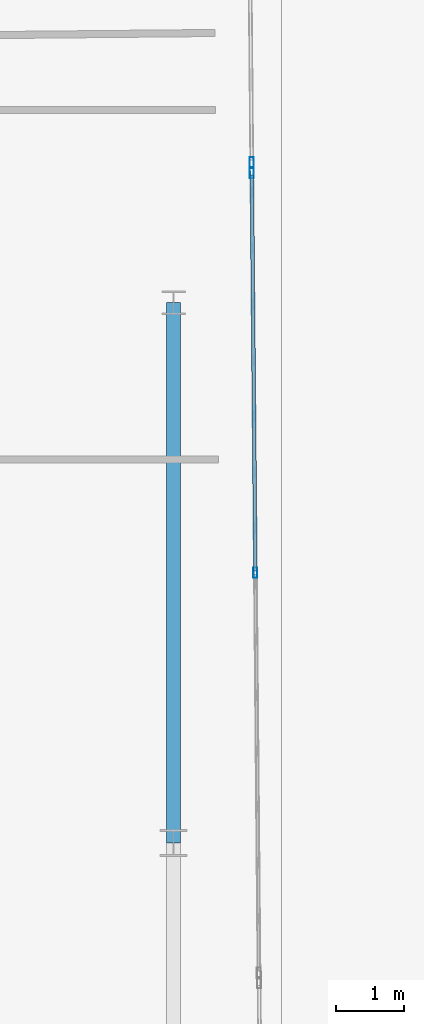
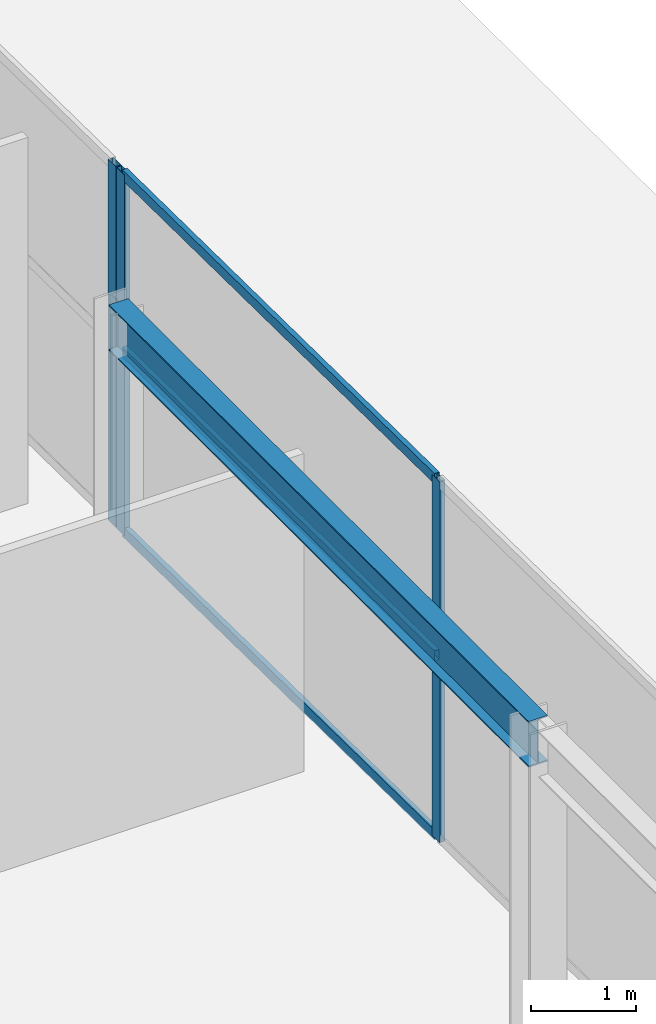
# One storey, part 50 of 107: 6 members, 1 beam, 2 elements without a shape of their own.
"""IFC4 building model written with IfcOpenShell, lengths in metres."""

from ifc_helpers import new_model, si_unit, direction, frame, origin, origin_2d, place, context, subcontext, project, spatial, hollow_rectangle, i_section, extrude, material, layer, layer_set, material_profile, profile_set, type_object, element, aggregate, save


model = new_model("IFC4")

# Units and contexts
model_context = context("Model", 3, precision=1e-05, world=origin(), true_north=direction((0.0, 1.0)))
body_context = subcontext(model_context, "Body", "Model", "MODEL_VIEW")
ifc_project = project(units=[si_unit("LENGTHUNIT", "METRE"), si_unit("AREAUNIT", "SQUARE_METRE"), si_unit("VOLUMEUNIT", "CUBIC_METRE"), si_unit("PLANEANGLEUNIT", "RADIAN"), si_unit("MASSUNIT", "GRAM", prefix="KILO")], contexts=[model_context])

# Site, building, storey
site_placement = place(None, origin())
site = spatial("IfcSite", under=ifc_project, at=site_placement, CompositionType="ELEMENT")
building_placement = place(site_placement, origin())
building = spatial("IfcBuilding", under=site, at=building_placement, Name="Kalgoora Escarpment Arena", CompositionType="ELEMENT")
storey_placement = place(building_placement, frame((0.0, 0.0, 5.39990234375)))
storey = spatial("IfcBuildingStorey", under=building, at=storey_placement, Name="L01", CompositionType="ELEMENT", Elevation=5.39990234375)

# Beam
ifc_material_1 = material(Name="Structural steel AS/NZS 3679 (300 MPa)", Category="steel")
ifc_material_profile_1 = material_profile(ifc_material_1, i_section(OverallWidth=0.208984375, OverallDepth=0.532958984375, WebThickness=0.01025390625, FlangeThickness=0.015625, at=origin_2d()))
ifc_profile_set_1 = profile_set([ifc_material_profile_1], Name="Structural steel AS/NZS 3679 (300 MPa)")
beam_type = type_object("IfcBeamType", Name="BM-GIRDER-530UB92.4", PredefinedType="USERDEFINED", material=ifc_profile_set_1)
beam_placement = place(storey_placement, frame((176.39990234375, 32.0, 3.99365234375), z_axis=(0.0, 1.0, 0.0), x_axis=(-1.0, 0.0, 0.0)))
element("IfcBeam", 1, at=beam_placement, inside=storey, type_object=beam_type, Name="L01 Floor girder 530UB92.4", ObjectType="GIRDER", PredefinedType="USERDEFINED", context=body_context, shape_type="SweptSolid", body=[
    extrude(i_section(OverallWidth=0.208984375, OverallDepth=0.532958984375, WebThickness=0.01025390625, FlangeThickness=0.015625, at=origin_2d()), origin(), (0.0, 0.0, 1.0), 8.0),
])

# Curtain wall, member
ifc_material_2 = material(Name=" Champagne anodised aluminium & double-glazed low-E", Category="aluminium")
ifc_layer_1 = layer(ifc_material_2, 0.162109375)
ifc_layer_set_1 = layer_set([ifc_layer_1], Name="CW-UNIT-18")
curtain_wall_type_1 = type_object("IfcCurtainWallType", Name="CW-UNIT-18", PredefinedType="NOTDEFINED", material=ifc_layer_set_1)
curtain_wall_1_placement = place(storey_placement, origin())
curtain_wall_1 = element("IfcCurtainWall", 2, at=curtain_wall_1_placement, inside=storey, type_object=curtain_wall_type_1, Name="L01 unitised facade curtain wall 037", PredefinedType="NOTDEFINED")
ifc_material_3 = material(Name="Anodised aluminium 6063-T6", Category="aluminium")
ifc_material_profile_2 = material_profile(ifc_material_3, hollow_rectangle(XDim=0.06005859375, YDim=0.14990234375, WallThickness=0.00341796875, at=origin_2d()))
ifc_profile_set_2 = profile_set([ifc_material_profile_2], Name="Anodised aluminium 6063-T6")
member_type_1 = type_object("IfcMemberType", Name="MEM-CW-MULL-150", PredefinedType="MULLION", material=ifc_profile_set_2)
member_1_placement = place(storey_placement, frame((177.55712890625, 42.078857421875, 0.02001953125), z_axis=(0.0, 0.0, 1.0), x_axis=(0.999959915577, 0.008953615986, 0.0)))
member_1 = element("IfcMember", 3, at=member_1_placement, type_object=member_type_1, Name="CW-18 mullion 3", PredefinedType="MULLION", context=body_context, shape_type="SweptSolid", body=[
    extrude(hollow_rectangle(XDim=0.06005859375, YDim=0.14990234375, WallThickness=0.00341796875, at=origin_2d()), origin(), (0.0, 0.0, 1.0), 4.2001953125),
])
aggregate(curtain_wall_1, [member_1])

# Curtain wall, members
ifc_material_4 = material(Name=" Champagne anodised aluminium & double-glazed low-E", Category="aluminium")
ifc_layer_2 = layer(ifc_material_4, 0.166015625)
ifc_layer_set_2 = layer_set([ifc_layer_2], Name="CW-UNIT-19")
curtain_wall_type_2 = type_object("IfcCurtainWallType", Name="CW-UNIT-19", PredefinedType="NOTDEFINED", material=ifc_layer_set_2)
curtain_wall_2_placement = place(storey_placement, origin())
curtain_wall_2 = element("IfcCurtainWall", 4, at=curtain_wall_2_placement, inside=storey, type_object=curtain_wall_type_2, Name="L01 unitised facade curtain wall 038", PredefinedType="NOTDEFINED")
member_2_placement = place(storey_placement, frame((177.558349609375, 41.9189453125, 0.02001953125), z_axis=(0.0, 0.0, 1.0), x_axis=(0.999959954916, 0.008949221441, 0.0)))
member_2 = element("IfcMember", 5, at=member_2_placement, type_object=member_type_1, Name="CW-19 mullion 1", PredefinedType="MULLION", context=body_context, shape_type="SweptSolid", body=[
    extrude(hollow_rectangle(XDim=0.06005859375, YDim=0.14990234375, WallThickness=0.00341796875, at=origin_2d()), origin(), (0.0, 0.0, 1.0), 4.2001953125),
])
member_3_placement = place(storey_placement, frame((177.611328125, 35.998779296875, 0.02001953125), z_axis=(0.0, 0.0, 1.0), x_axis=(0.999959954916, 0.008949221441, 0.0)))
member_3 = element("IfcMember", 6, at=member_3_placement, type_object=member_type_1, Name="CW-19 mullion 2", PredefinedType="MULLION", context=body_context, shape_type="SweptSolid", body=[
    extrude(hollow_rectangle(XDim=0.06005859375, YDim=0.14990234375, WallThickness=0.00341796875, at=origin_2d()), origin(), (0.0, 0.0, 1.0), 4.2001953125),
])
ifc_material_5 = material(Name="Anodised aluminium 6063-T6", Category="aluminium")
ifc_material_profile_3 = material_profile(ifc_material_5, hollow_rectangle(XDim=0.054931640625, YDim=0.1201171875, WallThickness=0.003173828125, at=origin_2d()))
ifc_profile_set_3 = profile_set([ifc_material_profile_3], Name="Anodised aluminium 6063-T6")
member_type_2 = type_object("IfcMemberType", Name="MEM-CW-TRAN-120", PredefinedType="USERDEFINED", material=ifc_profile_set_3)
member_4_placement = place(storey_placement, frame((177.558837890625, 41.888916015625, 0.047607421875), z_axis=(0.008915197908, -0.999960258833, 0.0), x_axis=(0.999960258833, 0.008915197908, 0.0)))
member_4 = element("IfcMember", 7, at=member_4_placement, type_object=member_type_2, Name="CW-19 transom 1.1", ObjectType="TRANSOM", PredefinedType="USERDEFINED", context=body_context, shape_type="SweptSolid", body=[
    extrude(hollow_rectangle(XDim=0.054931640625, YDim=0.1201171875, WallThickness=0.003173828125, at=origin_2d()), origin(), (0.0, 0.0, 1.0), 5.8603515625),
])
member_5_placement = place(storey_placement, frame((177.558837890625, 41.888916015625, 2.130126953125), z_axis=(0.008915197908, -0.999960258833, 0.0), x_axis=(0.999960258833, 0.008915197908, 0.0)))
member_5 = element("IfcMember", 8, at=member_5_placement, type_object=member_type_2, Name="CW-19 transom 1.2", ObjectType="TRANSOM", PredefinedType="USERDEFINED", context=body_context, shape_type="SweptSolid", body=[
    extrude(hollow_rectangle(XDim=0.054931640625, YDim=0.1201171875, WallThickness=0.003173828125, at=origin_2d()), origin(), (0.0, 0.0, 1.0), 5.8603515625),
])
member_6_placement = place(storey_placement, frame((177.558837890625, 41.888916015625, 4.192626953125), z_axis=(0.008915197908, -0.999960258833, 0.0), x_axis=(0.999960258833, 0.008915197908, 0.0)))
member_6 = element("IfcMember", 9, at=member_6_placement, type_object=member_type_2, Name="CW-19 transom 1.3", ObjectType="TRANSOM", PredefinedType="USERDEFINED", context=body_context, shape_type="SweptSolid", body=[
    extrude(hollow_rectangle(XDim=0.054931640625, YDim=0.1201171875, WallThickness=0.003173828125, at=origin_2d()), origin(), (0.0, 0.0, 1.0), 5.8603515625),
])
aggregate(curtain_wall_2, [member_2, member_3, member_4, member_5, member_6])

save(model, "model.ifc")
